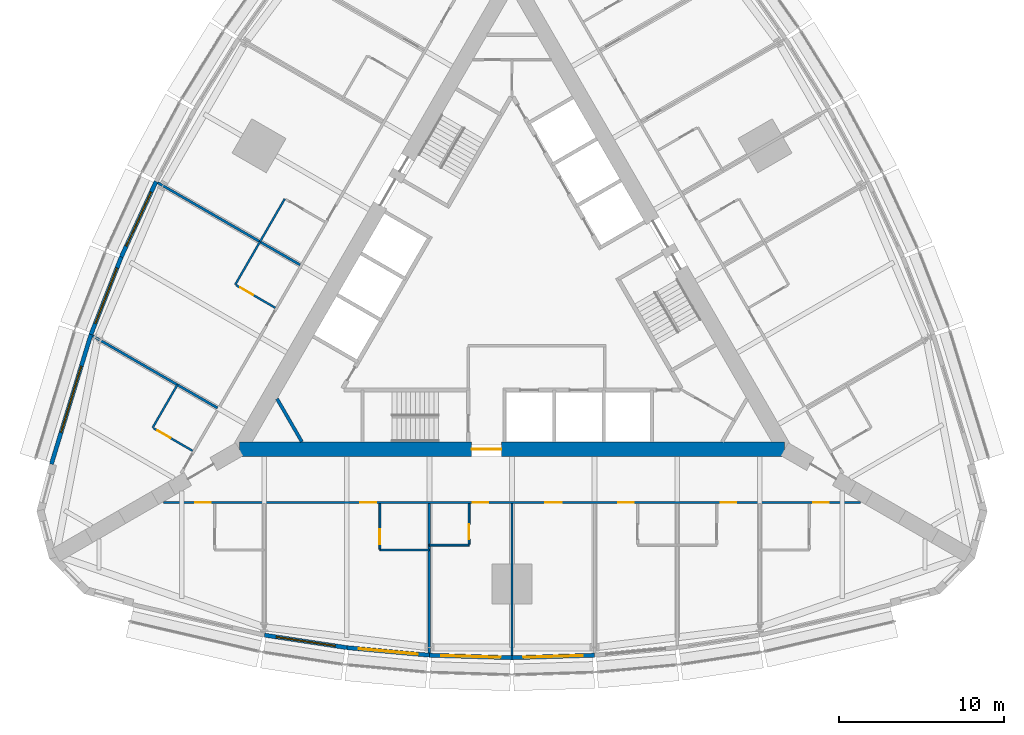
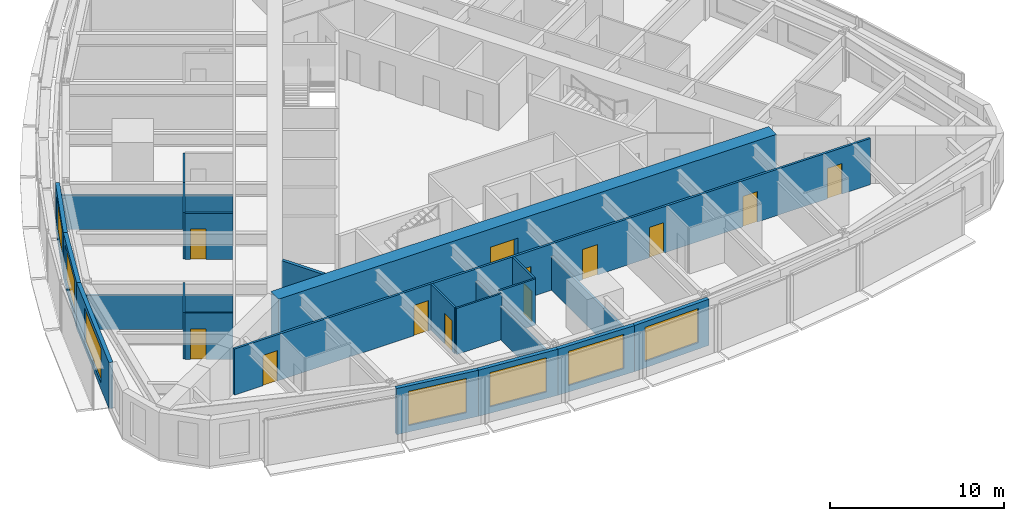
# One storey, part 8 of 14: 23 walls, 12 doors, 7 windows, 19 openings.
"""IFC4 building model written with IfcOpenShell, lengths in metres."""

from ifc_helpers import new_model, si_unit, direction, frame, frame_2d, origin, place, context, subcontext, project, spatial, rectangle, extrude, material, layer, layer_set, type_object, element, fill, save


model = new_model("IFC4")

# Units and contexts
model_context = context("Model", 3, precision=1e-05, world=origin(), true_north=direction((0.0, 1.0)))
body_context = subcontext(model_context, "Body", "Model", "MODEL_VIEW")
ifc_project = project(units=[si_unit("LENGTHUNIT", "METRE"), si_unit("AREAUNIT", "SQUARE_METRE"), si_unit("VOLUMEUNIT", "CUBIC_METRE"), si_unit("PLANEANGLEUNIT", "RADIAN"), si_unit("MASSUNIT", "GRAM", prefix="KILO")], contexts=[model_context])

# Site, building, storey
site_placement = place(None, origin())
site = spatial("IfcSite", under=ifc_project, at=site_placement, CompositionType="ELEMENT")
building_placement = place(site_placement, origin())
building = spatial("IfcBuilding", under=site, at=building_placement, Name="Trikona Tower", CompositionType="ELEMENT")
storey_placement = place(building_placement, frame((0.0, 0.0, 89.699951171875)))
storey = spatial("IfcBuildingStorey", under=building, at=storey_placement, Name="L23", CompositionType="ELEMENT", Elevation=89.699951171875)

# Wall
ifc_material_1 = material(Name="Metal stud and cement board", Category="gypsum")
ifc_layer_1 = layer(ifc_material_1, 0.1201171875)
ifc_layer_set_1 = layer_set([ifc_layer_1], Name="Bathroom wall 120")
wall_type_1 = type_object("IfcWallType", Name="Bathroom wall 120", PredefinedType="PLUMBINGWALL", material=ifc_layer_set_1)
wall_1_placement = place(storey_placement, frame((-8.0, -15.626220703125, 0.0), z_axis=(0.0, 0.0, 1.0), x_axis=(1.0, 0.0, 0.0)))
element("IfcWall", 1, at=wall_1_placement, inside=storey, type_object=wall_type_1, Name="Bathroom wall 2302", PredefinedType="PLUMBINGWALL", context=body_context, shape_type="SweptSolid", body=[
    extrude(rectangle(XDim=3.0, YDim=0.1201171875, at=frame_2d((1.5, 0.0))), origin(), (0.0, 0.0, 1.0), 3.235107421875),
])

# Wall, opening, door
wall_2_placement = place(storey_placement, frame((-8.0, -12.826416015625, 0.0), z_axis=(0.0, 0.0, 1.0), x_axis=(0.0, -1.0, 0.0)))
wall_2 = element("IfcWall", 2, at=wall_2_placement, inside=storey, type_object=wall_type_1, Name="Bathroom wall 2302", PredefinedType="PLUMBINGWALL", context=body_context, shape_type="SweptSolid", body=[
    extrude(rectangle(XDim=2.739990234375, YDim=0.1201171875, at=frame_2d((1.3701171875, 0.0))), origin(), (0.0, 0.0, 1.0), 3.235107421875),
])
opening_1_placement = place(wall_2_placement, frame((1.550048828125, 0.0, 0.0)))
opening_1 = element("IfcOpeningElement", 3, at=opening_1_placement, cuts=wall_2, Name="Opening D2", PredefinedType="OPENING", context=body_context, shape_type="SweptSolid", body=[
    extrude(rectangle(XDim=0.89990234375, YDim=2.1298828125, at=frame_2d((0.449951171875, 1.06494140625))), frame((0.0, 0.070068359375, 0.0), z_axis=(0.0, -1.0, 0.0), x_axis=(1.0, 0.0, 0.0)), (0.0, 0.0, 1.0), 0.14013671875),
])
ifc_material_2 = material(Name="Steel door frame with solid-core timber leaf", Category="steel")
door_type_1 = type_object("IfcDoorType", Name="Bathroom door 900x2130", OperationType="SLIDING_TO_LEFT", PredefinedType="DOOR", material=ifc_material_2)
door_1_placement = place(opening_1_placement, origin())
door_1 = element("IfcDoor", 4, at=door_1_placement, inside=storey, type_object=door_type_1, Name="Bathroom door 2302", OperationType="SLIDING_TO_LEFT", OverallHeight=2.1298828125, OverallWidth=0.89990234375, PredefinedType="DOOR", context=body_context, shape_type="SweptSolid", body=[
    extrude(rectangle(XDim=0.89990234375, YDim=2.1298828125, at=frame_2d((0.449951171875, 1.06494140625))), frame((0.0, 0.02490234375, 0.0), z_axis=(0.0, -1.0, 0.0), x_axis=(1.0, 0.0, 0.0)), (0.0, 0.0, 1.0), 0.050048828125),
])
fill(opening_1, door_1)

# Wall
wall_3_placement = place(storey_placement, frame((-5.0, -15.326416015625, 0.0), z_axis=(0.0, 0.0, 1.0), x_axis=(1.0, 0.0, 0.0)))
element("IfcWall", 5, at=wall_3_placement, inside=storey, type_object=wall_type_1, Name="Bathroom wall 2303", PredefinedType="PLUMBINGWALL", context=body_context, shape_type="SweptSolid", body=[
    extrude(rectangle(XDim=2.39990234375, YDim=0.1201171875, at=frame_2d((1.199951171875, 0.0))), origin(), (0.0, 0.0, 1.0), 3.235107421875),
])

# Wall, opening, door
wall_4_placement = place(storey_placement, frame((-2.60009765625, -12.826416015625, 0.0), z_axis=(0.0, 0.0, 1.0), x_axis=(0.0, -1.0, 0.0)))
wall_4 = element("IfcWall", 6, at=wall_4_placement, inside=storey, type_object=wall_type_1, Name="Bathroom wall 2303", PredefinedType="PLUMBINGWALL", context=body_context, shape_type="SweptSolid", body=[
    extrude(rectangle(XDim=2.43994140625, YDim=0.1201171875, at=frame_2d((1.219970703125, 0.0))), origin(), (0.0, 0.0, 1.0), 3.235107421875),
])
opening_2_placement = place(wall_4_placement, frame((1.25, 0.0, 0.0)))
opening_2 = element("IfcOpeningElement", 7, at=opening_2_placement, cuts=wall_4, Name="Opening D2", PredefinedType="OPENING", context=body_context, shape_type="SweptSolid", body=[
    extrude(rectangle(XDim=0.89990234375, YDim=2.1298828125, at=frame_2d((0.449951171875, 1.06494140625))), frame((0.0, 0.070068359375, 0.0), z_axis=(0.0, -1.0, 0.0), x_axis=(1.0, 0.0, 0.0)), (0.0, 0.0, 1.0), 0.14013671875),
])
door_2_placement = place(opening_2_placement, origin())
door_2 = element("IfcDoor", 8, at=door_2_placement, inside=storey, type_object=door_type_1, Name="Bathroom door 2303", OperationType="SLIDING_TO_LEFT", OverallHeight=2.1298828125, OverallWidth=0.89990234375, PredefinedType="DOOR", context=body_context, shape_type="SweptSolid", body=[
    extrude(rectangle(XDim=0.89990234375, YDim=2.1298828125, at=frame_2d((0.449951171875, 1.06494140625))), frame((0.0, 0.02490234375, 0.0), z_axis=(0.0, -1.0, 0.0), x_axis=(1.0, 0.0, 0.0)), (0.0, 0.0, 1.0), 0.050048828125),
])
fill(opening_2, door_2)

# Walls
for number, where, z_axis, x_axis, name in (
    (9, (-13.75341796875, 5.631103515625, 0.0), (0.0, 0.0, 1.0), (-0.499990139034, -0.866031096941, 0.0), "Bathroom wall 2314"),
    (10, (-15.25341796875, 3.032958984375, 0.0), (0.0, 0.0, 1.0), (-0.499990139034, -0.866031096941, 0.0), "Bathroom wall 2315"),
):
    element("IfcWall", number, at=place(storey_placement, frame(where, z_axis=z_axis, x_axis=x_axis)), inside=storey, type_object=wall_type_1, Name=name, PredefinedType="PLUMBINGWALL", context=body_context, shape_type="SweptSolid", body=[
        extrude(rectangle(XDim=3.0, YDim=0.1201171875, at=frame_2d((1.5, 0.0))), origin(), (0.0, 0.0, 1.0), 3.235107421875),
    ])

# Wall, opening, door
wall_5_placement = place(storey_placement, frame((-14.32861328125, -0.965087890625, 0.0), z_axis=(0.0, 0.0, 1.0), x_axis=(-0.866035715982, 0.499982138324, 0.0)))
wall_5 = element("IfcWall", 11, at=wall_5_placement, inside=storey, type_object=wall_type_1, Name="Bathroom wall 2315", PredefinedType="PLUMBINGWALL", context=body_context, shape_type="SweptSolid", body=[
    extrude(rectangle(XDim=2.73974609375, YDim=0.1201171875, at=frame_2d((1.369873046875, 0.0))), origin(), (0.0, 0.0, 1.0), 3.235107421875),
])
opening_3_placement = place(wall_5_placement, frame((1.550048828125, 0.0, 0.0)))
opening_3 = element("IfcOpeningElement", 12, at=opening_3_placement, cuts=wall_5, Name="Opening D2", PredefinedType="OPENING", context=body_context, shape_type="SweptSolid", body=[
    extrude(rectangle(XDim=0.89990234375, YDim=2.1298828125, at=frame_2d((0.449951171875, 1.06494140625))), frame((0.0, 0.070068359375, 0.0), z_axis=(0.0, -1.0, 0.0), x_axis=(1.0, 0.0, 0.0)), (0.0, 0.0, 1.0), 0.14013671875),
])
door_3_placement = place(opening_3_placement, origin())
door_3 = element("IfcDoor", 13, at=door_3_placement, inside=storey, type_object=door_type_1, Name="Bathroom door 2315", OperationType="SLIDING_TO_LEFT", OverallHeight=2.1298828125, OverallWidth=0.89990234375, PredefinedType="DOOR", context=body_context, shape_type="SweptSolid", body=[
    extrude(rectangle(XDim=0.89990234375, YDim=2.1298828125, at=frame_2d((0.449951171875, 1.06494140625))), frame((0.0, 0.02490234375, 0.0), z_axis=(0.0, -1.0, 0.0), x_axis=(1.0, 0.0, 0.0)), (0.0, 0.0, 1.0), 0.050048828125),
])
fill(opening_3, door_3)

# Wall
wall_6_placement = place(storey_placement, frame((-20.25341796875, -5.627197265625, 0.0), z_axis=(0.0, 0.0, 1.0), x_axis=(-0.499990139034, -0.866031096941, 0.0)))
element("IfcWall", 14, at=wall_6_placement, inside=storey, type_object=wall_type_1, Name="Bathroom wall 2316", PredefinedType="PLUMBINGWALL", context=body_context, shape_type="SweptSolid", body=[
    extrude(rectangle(XDim=3.0, YDim=0.1201171875, at=frame_2d((1.5, 0.0))), origin(), (0.0, 0.0, 1.0), 3.235107421875),
])

# Wall, opening, door
wall_7_placement = place(storey_placement, frame((-19.32861328125, -9.625244140625, 0.0), z_axis=(0.0, 0.0, 1.0), x_axis=(-0.866035715982, 0.499982138324, 0.0)))
wall_7 = element("IfcWall", 15, at=wall_7_placement, inside=storey, type_object=wall_type_1, Name="Bathroom wall 2316", PredefinedType="PLUMBINGWALL", context=body_context, shape_type="SweptSolid", body=[
    extrude(rectangle(XDim=2.73974609375, YDim=0.1201171875, at=frame_2d((1.369873046875, 0.0))), origin(), (0.0, 0.0, 1.0), 3.235107421875),
])
opening_4_placement = place(wall_7_placement, frame((1.550048828125, 0.0, 0.0)))
opening_4 = element("IfcOpeningElement", 16, at=opening_4_placement, cuts=wall_7, Name="Opening D2", PredefinedType="OPENING", context=body_context, shape_type="SweptSolid", body=[
    extrude(rectangle(XDim=0.89990234375, YDim=2.1298828125, at=frame_2d((0.449951171875, 1.06494140625))), frame((0.0, 0.070068359375, 0.0), z_axis=(0.0, -1.0, 0.0), x_axis=(1.0, 0.0, 0.0)), (0.0, 0.0, 1.0), 0.14013671875),
])
door_4_placement = place(opening_4_placement, origin())
door_4 = element("IfcDoor", 17, at=door_4_placement, inside=storey, type_object=door_type_1, Name="Bathroom door 2316", OperationType="SLIDING_TO_LEFT", OverallHeight=2.1298828125, OverallWidth=0.89990234375, PredefinedType="DOOR", context=body_context, shape_type="SweptSolid", body=[
    extrude(rectangle(XDim=0.89990234375, YDim=2.1298828125, at=frame_2d((0.449951171875, 1.06494140625))), frame((0.0, 0.02490234375, 0.0), z_axis=(0.0, -1.0, 0.0), x_axis=(1.0, 0.0, 0.0)), (0.0, 0.0, 1.0), 0.050048828125),
])
fill(opening_4, door_4)

ifc_material_3 = material(Name="Concrete f'c 10000 psi", Category="concrete")
ifc_layer_2 = layer(ifc_material_3, 0.89990234375)
ifc_layer_set_2 = layer_set([ifc_layer_2], Name="Core wall 900")
wall_type_2 = type_object("IfcWallType", Name="Core wall 900", PredefinedType="SHEAR", material=ifc_layer_set_2)
wall_8_placement = place(storey_placement, frame((-16.5, -9.5263671875, 0.0), z_axis=(0.0, 0.0, 1.0), x_axis=(1.0, 0.0, 0.0)))
wall_8 = element("IfcWall", 18, at=wall_8_placement, inside=storey, type_object=wall_type_2, Name="Core wall A", PredefinedType="SHEAR", context=body_context, shape_type="SweptSolid", body=[
    extrude(rectangle(XDim=33.0, YDim=0.89990234375, at=frame_2d((16.5, 0.0))), origin(), (0.0, 0.0, 1.0), 3.400146484375),
])
opening_5_placement = place(wall_8_placement, frame((14.050048828125, 0.0, 0.0)))
opening_5 = element("IfcOpeningElement", 19, at=opening_5_placement, cuts=wall_8, Name="Opening D6", PredefinedType="OPENING", context=body_context, shape_type="SweptSolid", body=[
    extrude(rectangle(XDim=1.800048828125, YDim=2.1298828125, at=frame_2d((0.89990234375, 1.06494140625))), frame((0.0, 0.4599609375, 0.0), z_axis=(0.0, -1.0, 0.0), x_axis=(1.0, 0.0, 0.0)), (0.0, 0.0, 1.0), 0.919921875),
])
ifc_material_4 = material(Name="Hollow metal door and frame", Category="steel")
door_type_2 = type_object("IfcDoorType", Name="Lobby door pair 1800x2130", OperationType="DOUBLE_DOOR_SINGLE_SWING", PredefinedType="DOOR", material=ifc_material_4)
door_5_placement = place(opening_5_placement, origin())
door_5 = element("IfcDoor", 20, at=door_5_placement, inside=storey, type_object=door_type_2, Name="Fire service lift lobby door", OperationType="DOUBLE_DOOR_SINGLE_SWING", OverallHeight=2.1298828125, OverallWidth=1.800048828125, PredefinedType="DOOR", context=body_context, shape_type="SweptSolid", body=[
    extrude(rectangle(XDim=1.800048828125, YDim=2.1298828125, at=frame_2d((0.89990234375, 1.06494140625))), frame((0.0, 0.02490234375, 0.0), z_axis=(0.0, -1.0, 0.0), x_axis=(1.0, 0.0, 0.0)), (0.0, 0.0, 1.0), 0.050048828125),
])
fill(opening_5, door_5)

# Wall, openings, doors
ifc_material_5 = material(Name="Metal stud and gypsum board, 1-hour", Category="gypsum")
ifc_layer_3 = layer(ifc_material_5, 0.14990234375)
ifc_layer_set_3 = layer_set([ifc_layer_3], Name="Corridor wall 150")
wall_type_3 = type_object("IfcWallType", Name="Corridor wall 150", PredefinedType="PARTITIONING", material=ifc_layer_set_3)
wall_9_placement = place(storey_placement, frame((-21.0859375, -12.751220703125, 0.0), z_axis=(0.0, 0.0, 1.0), x_axis=(1.0, 0.0, 0.0)))
wall_9 = element("IfcWall", 21, at=wall_9_placement, inside=storey, type_object=wall_type_3, Name="Corridor wall L23-1", PredefinedType="PARTITIONING", context=body_context, shape_type="SweptSolid", body=[
    extrude(rectangle(XDim=42.171875, YDim=0.14990234375, at=frame_2d((21.0859375, 0.0))), origin(), (0.0, 0.0, 1.0), 3.235107421875),
])
opening_6_placement = place(wall_9_placement, frame((1.910888671875, 0.0, 0.0)))
opening_6 = element("IfcOpeningElement", 22, at=opening_6_placement, cuts=wall_9, Name="Opening D1", PredefinedType="OPENING", context=body_context, shape_type="SweptSolid", body=[
    extrude(rectangle(XDim=0.949951171875, YDim=2.1298828125, at=frame_2d((0.47509765625, 1.06494140625))), frame((0.0, 0.0849609375, 0.0), z_axis=(0.0, -1.0, 0.0), x_axis=(1.0, 0.0, 0.0)), (0.0, 0.0, 1.0), 0.169921875),
])
opening_7_placement = place(wall_9_placement, frame((11.910888671875, 0.0, 0.0)))
opening_7 = element("IfcOpeningElement", 23, at=opening_7_placement, cuts=wall_9, Name="Opening D1", PredefinedType="OPENING", context=body_context, shape_type="SweptSolid", body=[
    extrude(rectangle(XDim=0.949951171875, YDim=2.1298828125, at=frame_2d((0.47509765625, 1.06494140625))), frame((0.0, 0.0849609375, 0.0), z_axis=(0.0, -1.0, 0.0), x_axis=(1.0, 0.0, 0.0)), (0.0, 0.0, 1.0), 0.169921875),
])
opening_8_placement = place(wall_9_placement, frame((18.7109375, 0.0, 0.0)))
opening_8 = element("IfcOpeningElement", 24, at=opening_8_placement, cuts=wall_9, Name="Opening D1", PredefinedType="OPENING", context=body_context, shape_type="SweptSolid", body=[
    extrude(rectangle(XDim=0.949951171875, YDim=2.1298828125, at=frame_2d((0.47509765625, 1.06494140625))), frame((0.0, 0.0849609375, 0.0), z_axis=(0.0, -1.0, 0.0), x_axis=(1.0, 0.0, 0.0)), (0.0, 0.0, 1.0), 0.169921875),
])
opening_9_placement = place(wall_9_placement, frame((23.0859375, 0.0, 0.0)))
opening_9 = element("IfcOpeningElement", 25, at=opening_9_placement, cuts=wall_9, Name="Opening D3", PredefinedType="OPENING", context=body_context, shape_type="SweptSolid", body=[
    extrude(rectangle(XDim=1.0, YDim=2.1298828125, at=frame_2d((0.5, 1.06494140625))), frame((0.0, 0.0849609375, 0.0), z_axis=(0.0, -1.0, 0.0), x_axis=(1.0, 0.0, 0.0)), (0.0, 0.0, 1.0), 0.169921875),
])
opening_10_placement = place(wall_9_placement, frame((27.510986328125, 0.0, 0.0)))
opening_10 = element("IfcOpeningElement", 26, at=opening_10_placement, cuts=wall_9, Name="Opening D1", PredefinedType="OPENING", context=body_context, shape_type="SweptSolid", body=[
    extrude(rectangle(XDim=0.949951171875, YDim=2.1298828125, at=frame_2d((0.47509765625, 1.06494140625))), frame((0.0, 0.0849609375, 0.0), z_axis=(0.0, -1.0, 0.0), x_axis=(1.0, 0.0, 0.0)), (0.0, 0.0, 1.0), 0.169921875),
])
opening_11_placement = place(wall_9_placement, frame((33.7109375, 0.0, 0.0)))
opening_11 = element("IfcOpeningElement", 27, at=opening_11_placement, cuts=wall_9, Name="Opening D1", PredefinedType="OPENING", context=body_context, shape_type="SweptSolid", body=[
    extrude(rectangle(XDim=0.949951171875, YDim=2.1298828125, at=frame_2d((0.47509765625, 1.06494140625))), frame((0.0, 0.0849609375, 0.0), z_axis=(0.0, -1.0, 0.0), x_axis=(1.0, 0.0, 0.0)), (0.0, 0.0, 1.0), 0.169921875),
])
opening_12_placement = place(wall_9_placement, frame((39.310791015625, 0.0, 0.0)))
opening_12 = element("IfcOpeningElement", 28, at=opening_12_placement, cuts=wall_9, Name="Opening D1", PredefinedType="OPENING", context=body_context, shape_type="SweptSolid", body=[
    extrude(rectangle(XDim=0.949951171875, YDim=2.1298828125, at=frame_2d((0.47509765625, 1.06494140625))), frame((0.0, 0.0849609375, 0.0), z_axis=(0.0, -1.0, 0.0), x_axis=(1.0, 0.0, 0.0)), (0.0, 0.0, 1.0), 0.169921875),
])
ifc_material_6 = material(Name="Steel door frame with solid-core timber leaf", Category="steel")
door_type_3 = type_object("IfcDoorType", Name="Guest room door 950x2130", OperationType="SINGLE_SWING_LEFT", PredefinedType="DOOR", material=ifc_material_6)
door_6_placement = place(opening_6_placement, origin())
door_6 = element("IfcDoor", 29, at=door_6_placement, inside=storey, type_object=door_type_3, Name="Room door 2301", OperationType="SINGLE_SWING_LEFT", OverallHeight=2.1298828125, OverallWidth=0.949951171875, PredefinedType="DOOR", context=body_context, shape_type="SweptSolid", body=[
    extrude(rectangle(XDim=0.949951171875, YDim=2.1298828125, at=frame_2d((0.47509765625, 1.06494140625))), frame((0.0, 0.02490234375, 0.0), z_axis=(0.0, -1.0, 0.0), x_axis=(1.0, 0.0, 0.0)), (0.0, 0.0, 1.0), 0.050048828125),
])
fill(opening_6, door_6)
door_7_placement = place(opening_7_placement, origin())
door_7 = element("IfcDoor", 30, at=door_7_placement, inside=storey, type_object=door_type_3, Name="Room door 2302", OperationType="SINGLE_SWING_RIGHT", OverallHeight=2.1298828125, OverallWidth=0.949951171875, PredefinedType="DOOR", context=body_context, shape_type="SweptSolid", body=[
    extrude(rectangle(XDim=0.949951171875, YDim=2.1298828125, at=frame_2d((0.47509765625, 1.06494140625))), frame((0.0, 0.02490234375, 0.0), z_axis=(0.0, -1.0, 0.0), x_axis=(1.0, 0.0, 0.0)), (0.0, 0.0, 1.0), 0.050048828125),
])
fill(opening_7, door_7)
door_8_placement = place(opening_8_placement, origin())
door_8 = element("IfcDoor", 31, at=door_8_placement, inside=storey, type_object=door_type_3, Name="Room door 2303", OperationType="SINGLE_SWING_LEFT", OverallHeight=2.1298828125, OverallWidth=0.949951171875, PredefinedType="DOOR", context=body_context, shape_type="SweptSolid", body=[
    extrude(rectangle(XDim=0.949951171875, YDim=2.1298828125, at=frame_2d((0.47509765625, 1.06494140625))), frame((0.0, 0.02490234375, 0.0), z_axis=(0.0, -1.0, 0.0), x_axis=(1.0, 0.0, 0.0)), (0.0, 0.0, 1.0), 0.050048828125),
])
fill(opening_8, door_8)
door_9_placement = place(opening_10_placement, origin())
door_9 = element("IfcDoor", 32, at=door_9_placement, inside=storey, type_object=door_type_3, Name="Room door 2304", OperationType="SINGLE_SWING_LEFT", OverallHeight=2.1298828125, OverallWidth=0.949951171875, PredefinedType="DOOR", context=body_context, shape_type="SweptSolid", body=[
    extrude(rectangle(XDim=0.949951171875, YDim=2.1298828125, at=frame_2d((0.47509765625, 1.06494140625))), frame((0.0, 0.02490234375, 0.0), z_axis=(0.0, -1.0, 0.0), x_axis=(1.0, 0.0, 0.0)), (0.0, 0.0, 1.0), 0.050048828125),
])
fill(opening_10, door_9)
door_10_placement = place(opening_11_placement, origin())
door_10 = element("IfcDoor", 33, at=door_10_placement, inside=storey, type_object=door_type_3, Name="Room door 2305", OperationType="SINGLE_SWING_RIGHT", OverallHeight=2.1298828125, OverallWidth=0.949951171875, PredefinedType="DOOR", context=body_context, shape_type="SweptSolid", body=[
    extrude(rectangle(XDim=0.949951171875, YDim=2.1298828125, at=frame_2d((0.47509765625, 1.06494140625))), frame((0.0, 0.02490234375, 0.0), z_axis=(0.0, -1.0, 0.0), x_axis=(1.0, 0.0, 0.0)), (0.0, 0.0, 1.0), 0.050048828125),
])
fill(opening_11, door_10)
door_11_placement = place(opening_12_placement, origin())
door_11 = element("IfcDoor", 34, at=door_11_placement, inside=storey, type_object=door_type_3, Name="Room door 2306", OperationType="SINGLE_SWING_RIGHT", OverallHeight=2.1298828125, OverallWidth=0.949951171875, PredefinedType="DOOR", context=body_context, shape_type="SweptSolid", body=[
    extrude(rectangle(XDim=0.949951171875, YDim=2.1298828125, at=frame_2d((0.47509765625, 1.06494140625))), frame((0.0, 0.02490234375, 0.0), z_axis=(0.0, -1.0, 0.0), x_axis=(1.0, 0.0, 0.0)), (0.0, 0.0, 1.0), 0.050048828125),
])
fill(opening_12, door_11)
ifc_material_7 = material(Name="Steel door frame with solid-core timber leaf", Category="steel")
door_type_4 = type_object("IfcDoorType", Name="Room door 1000x2130", OperationType="SINGLE_SWING_LEFT", PredefinedType="DOOR", material=ifc_material_7)
door_12_placement = place(opening_9_placement, origin())
door_12 = element("IfcDoor", 35, at=door_12_placement, inside=storey, type_object=door_type_4, Name="Door Housekeeping pantry", OperationType="SINGLE_SWING_RIGHT", OverallHeight=2.1298828125, OverallWidth=1.0, PredefinedType="DOOR", context=body_context, shape_type="SweptSolid", body=[
    extrude(rectangle(XDim=1.0, YDim=2.1298828125, at=frame_2d((0.5, 1.06494140625))), frame((0.0, 0.02490234375, 0.0), z_axis=(0.0, -1.0, 0.0), x_axis=(1.0, 0.0, 0.0)), (0.0, 0.0, 1.0), 0.050048828125),
])
fill(opening_9, door_12)

# Wall, opening, window
ifc_material_8 = material(Name="Insulated precast concrete spandrel panel", Category="concrete")
ifc_layer_4 = layer(ifc_material_8, 0.25)
ifc_layer_set_4 = layer_set([ifc_layer_4], Name="Inner skin wall 250")
wall_type_4 = type_object("IfcWallType", Name="Inner skin wall 250", PredefinedType="STANDARD", material=ifc_layer_set_4)
wall_10_placement = place(storey_placement, frame((-14.981201171875, -20.779296875, 0.0), z_axis=(0.0, 0.0, 1.0), x_axis=(0.988615403399, -0.150464561152, 0.0)))
wall_10 = element("IfcWall", 36, at=wall_10_placement, inside=storey, type_object=wall_type_4, Name="External wall L23-01", PredefinedType="STANDARD", context=body_context, shape_type="SweptSolid", body=[
    extrude(rectangle(XDim=5.0576171875, YDim=0.25, at=frame_2d((2.52880859375, 0.0))), origin(), (0.0, 0.0, 1.0), 3.235107421875),
])
opening_13_placement = place(wall_10_placement, frame((0.728759765625, 0.0, 0.449951171875)))
opening_13 = element("IfcOpeningElement", 37, at=opening_13_placement, cuts=wall_10, Name="Opening W3624", PredefinedType="OPENING", context=body_context, shape_type="SweptSolid", body=[
    extrude(rectangle(XDim=3.60009765625, YDim=2.39990234375, at=frame_2d((1.800048828125, 1.199951171875))), frame((0.0, 0.135009765625, 0.0), z_axis=(0.0, -1.0, 0.0), x_axis=(1.0, 0.0, 0.0)), (0.0, 0.0, 1.0), 0.27001953125),
])
ifc_material_9 = material(Name="Aluminium-framed double glazing", Category="aluminium")
window_type_1 = type_object("IfcWindowType", Name="Window 3600x2400", PartitioningType="SINGLE_PANEL", PredefinedType="WINDOW", material=ifc_material_9)
window_1_placement = place(opening_13_placement, origin())
window_1 = element("IfcWindow", 38, at=window_1_placement, inside=storey, type_object=window_type_1, Name="Window 2302", OverallHeight=2.39990234375, OverallWidth=3.60009765625, PartitioningType="SINGLE_PANEL", PredefinedType="WINDOW", context=body_context, shape_type="SweptSolid", body=[
    extrude(rectangle(XDim=3.60009765625, YDim=2.39990234375, at=frame_2d((1.800048828125, 1.199951171875))), frame((0.0, 0.030029296875, 0.0), z_axis=(0.0, -1.0, 0.0), x_axis=(1.0, 0.0, 0.0)), (0.0, 0.0, 1.0), 0.06005859375),
])
fill(opening_13, window_1)

wall_11_placement = place(storey_placement, frame((-9.988525390625, -21.539306640625, 0.0), z_axis=(0.0, 0.0, 1.0), x_axis=(0.995857256774, -0.090930325692, 0.0)))
wall_11 = element("IfcWall", 39, at=wall_11_placement, inside=storey, type_object=wall_type_4, Name="External wall L23-02", PredefinedType="STANDARD", context=body_context, shape_type="SweptSolid", body=[
    extrude(rectangle(XDim=5.020751953125, YDim=0.25, at=frame_2d((2.51025390625, 0.0))), origin(), (0.0, 0.0, 1.0), 3.235107421875),
])
opening_14_placement = place(wall_11_placement, frame((0.71044921875, 0.0, 0.449951171875)))
opening_14 = element("IfcOpeningElement", 40, at=opening_14_placement, cuts=wall_11, Name="Opening W3624", PredefinedType="OPENING", context=body_context, shape_type="SweptSolid", body=[
    extrude(rectangle(XDim=3.60009765625, YDim=2.39990234375, at=frame_2d((1.800048828125, 1.199951171875))), frame((0.0, 0.135009765625, 0.0), z_axis=(0.0, -1.0, 0.0), x_axis=(1.0, 0.0, 0.0)), (0.0, 0.0, 1.0), 0.27001953125),
])
window_2_placement = place(opening_14_placement, origin())
window_2 = element("IfcWindow", 41, at=window_2_placement, inside=storey, type_object=window_type_1, Name="Window 2302", OverallHeight=2.39990234375, OverallWidth=3.60009765625, PartitioningType="SINGLE_PANEL", PredefinedType="WINDOW", context=body_context, shape_type="SweptSolid", body=[
    extrude(rectangle(XDim=3.60009765625, YDim=2.39990234375, at=frame_2d((1.800048828125, 1.199951171875))), frame((0.0, 0.030029296875, 0.0), z_axis=(0.0, -1.0, 0.0), x_axis=(1.0, 0.0, 0.0)), (0.0, 0.0, 1.0), 0.06005859375),
])
fill(opening_14, window_2)

wall_12_placement = place(storey_placement, frame((-4.99609375, -21.99560546875, 0.0), z_axis=(0.0, 0.0, 1.0), x_axis=(0.999537635046, -0.030405856769, 0.0)))
wall_12 = element("IfcWall", 42, at=wall_12_placement, inside=storey, type_object=wall_type_4, Name="External wall L23-03", PredefinedType="STANDARD", context=body_context, shape_type="SweptSolid", body=[
    extrude(rectangle(XDim=5.002197265625, YDim=0.25, at=frame_2d((2.5009765625, 0.0))), origin(), (0.0, 0.0, 1.0), 3.235107421875),
])
opening_15_placement = place(wall_12_placement, frame((0.701171875, 0.0, 0.449951171875)))
opening_15 = element("IfcOpeningElement", 43, at=opening_15_placement, cuts=wall_12, Name="Opening W3624", PredefinedType="OPENING", context=body_context, shape_type="SweptSolid", body=[
    extrude(rectangle(XDim=3.60009765625, YDim=2.39990234375, at=frame_2d((1.800048828125, 1.199951171875))), frame((0.0, 0.135009765625, 0.0), z_axis=(0.0, -1.0, 0.0), x_axis=(1.0, 0.0, 0.0)), (0.0, 0.0, 1.0), 0.27001953125),
])
window_3_placement = place(opening_15_placement, origin())
window_3 = element("IfcWindow", 44, at=window_3_placement, inside=storey, type_object=window_type_1, Name="Window 2303", OverallHeight=2.39990234375, OverallWidth=3.60009765625, PartitioningType="SINGLE_PANEL", PredefinedType="WINDOW", context=body_context, shape_type="SweptSolid", body=[
    extrude(rectangle(XDim=3.60009765625, YDim=2.39990234375, at=frame_2d((1.800048828125, 1.199951171875))), frame((0.0, 0.030029296875, 0.0), z_axis=(0.0, -1.0, 0.0), x_axis=(1.0, 0.0, 0.0)), (0.0, 0.0, 1.0), 0.06005859375),
])
fill(opening_15, window_3)

wall_13_placement = place(storey_placement, frame((-0.00390625, -22.147705078125, 0.0), z_axis=(0.0, 0.0, 1.0), x_axis=(0.999537635046, 0.030405856769, 0.0)))
wall_13 = element("IfcWall", 45, at=wall_13_placement, inside=storey, type_object=wall_type_4, Name="External wall L23-04", PredefinedType="STANDARD", context=body_context, shape_type="SweptSolid", body=[
    extrude(rectangle(XDim=5.002197265625, YDim=0.25, at=frame_2d((2.5009765625, 0.0))), origin(), (0.0, 0.0, 1.0), 3.235107421875),
])
opening_16_placement = place(wall_13_placement, frame((0.701171875, 0.0, 0.449951171875)))
opening_16 = element("IfcOpeningElement", 46, at=opening_16_placement, cuts=wall_13, Name="Opening W3624", PredefinedType="OPENING", context=body_context, shape_type="SweptSolid", body=[
    extrude(rectangle(XDim=3.60009765625, YDim=2.39990234375, at=frame_2d((1.800048828125, 1.199951171875))), frame((0.0, 0.135009765625, 0.0), z_axis=(0.0, -1.0, 0.0), x_axis=(1.0, 0.0, 0.0)), (0.0, 0.0, 1.0), 0.27001953125),
])
window_4_placement = place(opening_16_placement, origin())
window_4 = element("IfcWindow", 47, at=window_4_placement, inside=storey, type_object=window_type_1, Name="Window L23-HKP", OverallHeight=2.39990234375, OverallWidth=3.60009765625, PartitioningType="SINGLE_PANEL", PredefinedType="WINDOW", context=body_context, shape_type="SweptSolid", body=[
    extrude(rectangle(XDim=3.60009765625, YDim=2.39990234375, at=frame_2d((1.800048828125, 1.199951171875))), frame((0.0, 0.030029296875, 0.0), z_axis=(0.0, -1.0, 0.0), x_axis=(1.0, 0.0, 0.0)), (0.0, 0.0, 1.0), 0.06005859375),
])
fill(opening_16, window_4)

wall_14_placement = place(storey_placement, frame((-21.543212890625, 6.677734375, 0.0), z_axis=(0.0, 0.0, 1.0), x_axis=(-0.419203100754, -0.907892482796, 0.0)))
wall_14 = element("IfcWall", 48, at=wall_14_placement, inside=storey, type_object=wall_type_4, Name="External wall L23-29", PredefinedType="STANDARD", context=body_context, shape_type="SweptSolid", body=[
    extrude(rectangle(XDim=5.020751953125, YDim=0.25, at=frame_2d((2.51025390625, 0.0))), origin(), (0.0, 0.0, 1.0), 3.235107421875),
])
opening_17_placement = place(wall_14_placement, frame((0.71044921875, 0.0, 0.449951171875)))
opening_17 = element("IfcOpeningElement", 49, at=opening_17_placement, cuts=wall_14, Name="Opening W3624", PredefinedType="OPENING", context=body_context, shape_type="SweptSolid", body=[
    extrude(rectangle(XDim=3.60009765625, YDim=2.39990234375, at=frame_2d((1.800048828125, 1.199951171875))), frame((0.0, 0.135009765625, 0.0), z_axis=(0.0, -1.0, 0.0), x_axis=(1.0, 0.0, 0.0)), (0.0, 0.0, 1.0), 0.27001953125),
])
window_5_placement = place(opening_17_placement, origin())
window_5 = element("IfcWindow", 50, at=window_5_placement, inside=storey, type_object=window_type_1, Name="Window 2315", OverallHeight=2.39990234375, OverallWidth=3.60009765625, PartitioningType="SINGLE_PANEL", PredefinedType="WINDOW", context=body_context, shape_type="SweptSolid", body=[
    extrude(rectangle(XDim=3.60009765625, YDim=2.39990234375, at=frame_2d((1.800048828125, 1.199951171875))), frame((0.0, 0.030029296875, 0.0), z_axis=(0.0, -1.0, 0.0), x_axis=(1.0, 0.0, 0.0)), (0.0, 0.0, 1.0), 0.06005859375),
])
fill(opening_17, window_5)

wall_15_placement = place(storey_placement, frame((-23.64501953125, 2.126220703125, 0.0), z_axis=(0.0, 0.0, 1.0), x_axis=(-0.364013463868, -0.931393685894, 0.0)))
wall_15 = element("IfcWall", 51, at=wall_15_placement, inside=storey, type_object=wall_type_4, Name="External wall L23-30", PredefinedType="STANDARD", context=body_context, shape_type="SweptSolid", body=[
    extrude(rectangle(XDim=5.0576171875, YDim=0.25, at=frame_2d((2.52880859375, 0.0))), origin(), (0.0, 0.0, 1.0), 3.235107421875),
])
opening_18_placement = place(wall_15_placement, frame((0.728759765625, 0.0, 0.449951171875)))
opening_18 = element("IfcOpeningElement", 52, at=opening_18_placement, cuts=wall_15, Name="Opening W3624", PredefinedType="OPENING", context=body_context, shape_type="SweptSolid", body=[
    extrude(rectangle(XDim=3.60009765625, YDim=2.39990234375, at=frame_2d((1.800048828125, 1.199951171875))), frame((0.0, 0.135009765625, 0.0), z_axis=(0.0, -1.0, 0.0), x_axis=(1.0, 0.0, 0.0)), (0.0, 0.0, 1.0), 0.27001953125),
])
window_6_placement = place(opening_18_placement, origin())
window_6 = element("IfcWindow", 53, at=window_6_placement, inside=storey, type_object=window_type_1, Name="Window 2315", OverallHeight=2.39990234375, OverallWidth=3.60009765625, PartitioningType="SINGLE_PANEL", PredefinedType="WINDOW", context=body_context, shape_type="SweptSolid", body=[
    extrude(rectangle(XDim=3.60009765625, YDim=2.39990234375, at=frame_2d((1.800048828125, 1.199951171875))), frame((0.0, 0.030029296875, 0.0), z_axis=(0.0, -1.0, 0.0), x_axis=(1.0, 0.0, 0.0)), (0.0, 0.0, 1.0), 0.06005859375),
])
fill(opening_18, window_6)

wall_16_placement = place(storey_placement, frame((-25.48291015625, -2.575439453125, 0.0), z_axis=(0.0, 0.0, 1.0), x_axis=(-0.2919790669, -0.956424709265, 0.0)))
wall_16 = element("IfcWall", 54, at=wall_16_placement, inside=storey, type_object=wall_type_4, Name="External wall L23-31", PredefinedType="STANDARD", context=body_context, shape_type="SweptSolid", body=[
    extrude(rectangle(XDim=8.211181640625, YDim=0.25, at=frame_2d((4.10546875, 0.0))), origin(), (0.0, 0.0, 1.0), 3.235107421875),
])
opening_19_placement = place(wall_16_placement, frame((2.005615234375, 0.0, 0.449951171875)))
opening_19 = element("IfcOpeningElement", 55, at=opening_19_placement, cuts=wall_16, Name="Opening W4224", PredefinedType="OPENING", context=body_context, shape_type="SweptSolid", body=[
    extrude(rectangle(XDim=4.199951171875, YDim=2.39990234375, at=frame_2d((2.10009765625, 1.199951171875))), frame((0.0, 0.135009765625, 0.0), z_axis=(0.0, -1.0, 0.0), x_axis=(1.0, 0.0, 0.0)), (0.0, 0.0, 1.0), 0.27001953125),
])
ifc_material_10 = material(Name="Aluminium-framed double glazing", Category="aluminium")
window_type_2 = type_object("IfcWindowType", Name="Window 4200x2400", PartitioningType="SINGLE_PANEL", PredefinedType="WINDOW", material=ifc_material_10)
window_7_placement = place(opening_19_placement, origin())
window_7 = element("IfcWindow", 56, at=window_7_placement, inside=storey, type_object=window_type_2, Name="Window 2316", OverallHeight=2.39990234375, OverallWidth=4.199951171875, PartitioningType="SINGLE_PANEL", PredefinedType="WINDOW", context=body_context, shape_type="SweptSolid", body=[
    extrude(rectangle(XDim=4.199951171875, YDim=2.39990234375, at=frame_2d((2.10009765625, 1.199951171875))), frame((0.0, 0.030029296875, 0.0), z_axis=(0.0, -1.0, 0.0), x_axis=(1.0, 0.0, 0.0)), (0.0, 0.0, 1.0), 0.06005859375),
])
fill(opening_19, window_7)

# Walls
ifc_material_11 = material(Name="Metal stud and gypsum board, 1-hour acoustic", Category="gypsum")
ifc_layer_5 = layer(ifc_material_11, 0.14990234375)
ifc_layer_set_5 = layer_set([ifc_layer_5], Name="Party wall 150")
wall_type_5 = type_object("IfcWallType", Name="Party wall 150", PredefinedType="PARTITIONING", material=ifc_layer_set_5)
wall_17_placement = place(storey_placement, frame((-5.0, -12.826416015625, 0.0), z_axis=(0.0, 0.0, 1.0), x_axis=(0.0, -1.0, 0.0)))
element("IfcWall", 57, at=wall_17_placement, inside=storey, type_object=wall_type_5, Name="Partition L23 F1 u-5", PredefinedType="PARTITIONING", context=body_context, shape_type="SweptSolid", body=[
    extrude(rectangle(XDim=9.04296875, YDim=0.14990234375, at=frame_2d((4.521484375, 0.0))), origin(), (0.0, 0.0, 1.0), 2.38916015625),
])
wall_18_placement = place(storey_placement, frame((0.0, -12.826416015625, 0.0), z_axis=(0.0, 0.0, 1.0), x_axis=(0.0, -1.0, 0.0)))
element("IfcWall", 58, at=wall_18_placement, inside=storey, type_object=wall_type_5, Name="Partition L23 F1 u-1.03538e-30", PredefinedType="PARTITIONING", context=body_context, shape_type="SweptSolid", body=[
    extrude(rectangle(XDim=9.196044921875, YDim=0.14990234375, at=frame_2d((4.59814453125, 0.0))), origin(), (0.0, 0.0, 1.0), 2.38916015625),
])
wall_19_placement = place(storey_placement, frame((-12.82861328125, 1.633056640625, 0.0), z_axis=(0.0, 0.0, 1.0), x_axis=(-0.866026934769, 0.499997348248, 0.0)))
element("IfcWall", 59, at=wall_19_placement, inside=storey, type_object=wall_type_5, Name="Partition L23 F3 u5", PredefinedType="PARTITIONING", context=body_context, shape_type="SweptSolid", body=[
    extrude(rectangle(XDim=9.94287109375, YDim=0.14990234375, at=frame_2d((4.971435546875, 0.0))), origin(), (0.0, 0.0, 1.0), 2.38916015625),
])
wall_20_placement = place(storey_placement, frame((-17.82861328125, -7.027099609375, 0.0), z_axis=(0.0, 0.0, 1.0), x_axis=(-0.866032659912, 0.499987431809, 0.0)))
element("IfcWall", 60, at=wall_20_placement, inside=storey, type_object=wall_type_5, Name="Partition L23 F3 u15", PredefinedType="PARTITIONING", context=body_context, shape_type="SweptSolid", body=[
    extrude(rectangle(XDim=8.719970703125, YDim=0.14990234375, at=frame_2d((4.35986328125, 0.0))), origin(), (0.0, 0.0, 1.0), 2.38916015625),
])
ifc_material_12 = material(Name="Concrete f'c 8000 psi", Category="concrete")
ifc_layer_6 = layer(ifc_material_12, 0.199951171875)
ifc_layer_set_6 = layer_set([ifc_layer_6], Name="Shaft wall 200")
wall_type_6 = type_object("IfcWallType", Name="Shaft wall 200", PredefinedType="SOLIDWALL", material=ifc_layer_set_6)
wall_21_placement = place(storey_placement, frame((-12.718505859375, -9.076416015625, 0.0), z_axis=(0.0, 0.0, 1.0), x_axis=(-0.499952404951, 0.866052881055, 0.0)))
element("IfcWall", 61, at=wall_21_placement, inside=storey, type_object=wall_type_6, Name="Riser wall L23-RS3", PredefinedType="SOLIDWALL", context=body_context, shape_type="SweptSolid", body=[
    extrude(rectangle(XDim=3.002197265625, YDim=0.199951171875, at=frame_2d((1.5009765625, 0.0))), origin(), (0.0, 0.0, 1.0), 3.235107421875),
])

save(model, "model.ifc")
